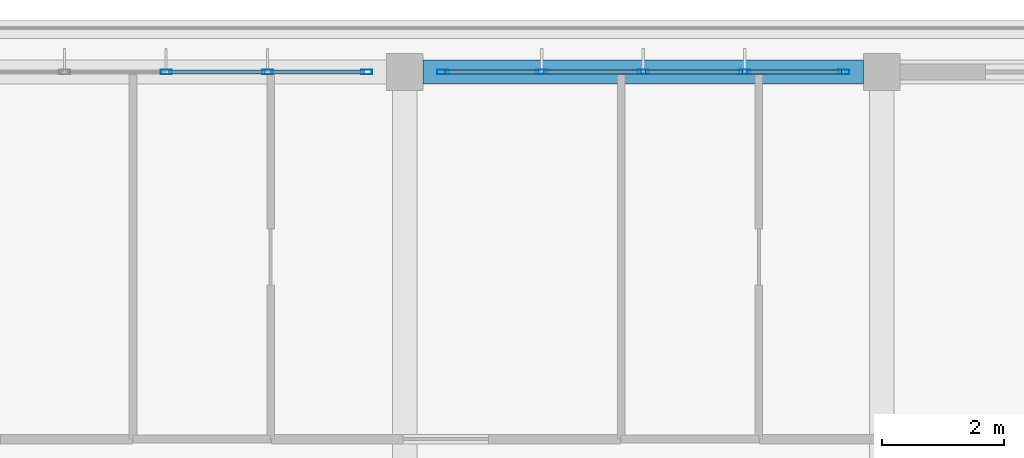
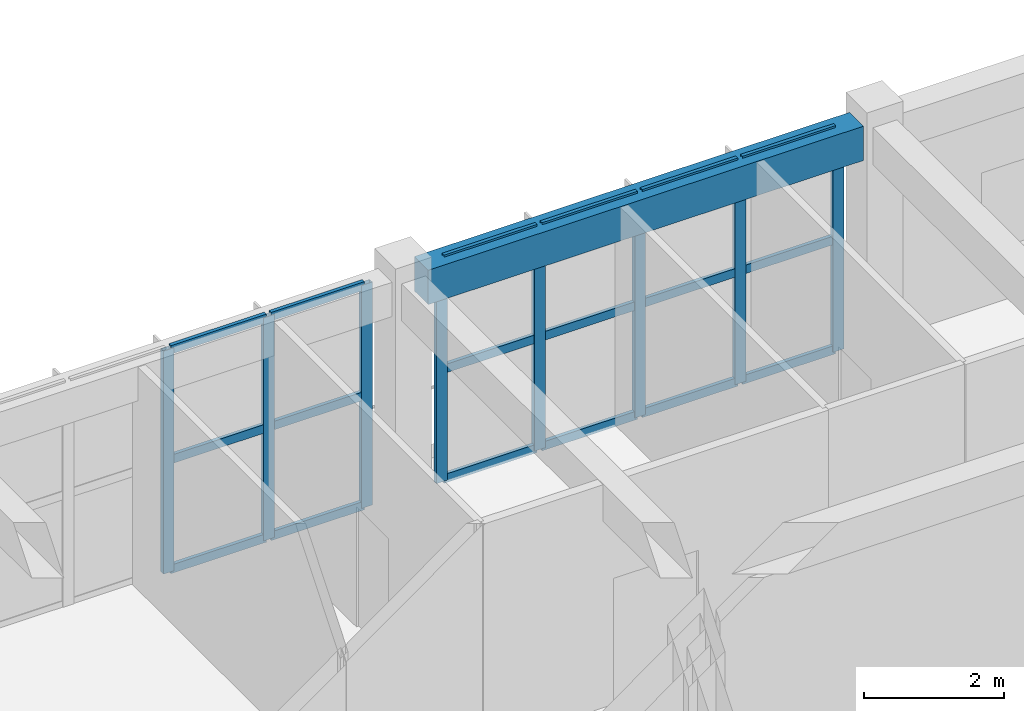
# One storey, part 17 of 56: 26 members, 1 beam, 2 elements without a shape of their own.
"""IFC4 building model written with IfcOpenShell, lengths in metres."""

from ifc_helpers import new_model, si_unit, direction, frame, origin, origin_2d, place, context, subcontext, project, spatial, rectangle, hollow_rectangle, extrude, material, layer, layer_set, material_profile, profile_set, type_object, element, aggregate, save


model = new_model("IFC4")

# Units and contexts
model_context = context("Model", 3, precision=1e-05, world=origin(), true_north=direction((0.0, 1.0)))
body_context = subcontext(model_context, "Body", "Model", "MODEL_VIEW")
ifc_project = project(units=[si_unit("LENGTHUNIT", "METRE"), si_unit("AREAUNIT", "SQUARE_METRE"), si_unit("VOLUMEUNIT", "CUBIC_METRE"), si_unit("PLANEANGLEUNIT", "RADIAN"), si_unit("MASSUNIT", "GRAM", prefix="KILO")], contexts=[model_context])

# Site, building, storey
site_placement = place(None, origin())
site = spatial("IfcSite", under=ifc_project, at=site_placement, CompositionType="ELEMENT")
building_placement = place(site_placement, origin())
building = spatial("IfcBuilding", under=site, at=building_placement, Name="Zizhar Promenade General Hospital", CompositionType="ELEMENT")
storey_placement = place(building_placement, frame((0.0, 0.0, 26.39990234375)))
storey = spatial("IfcBuildingStorey", under=building, at=storey_placement, Name="L06", CompositionType="ELEMENT", Elevation=26.39990234375)

# Beam
ifc_material_1 = material(Name="Concrete C35/45", Category="concrete")
ifc_material_profile_1 = material_profile(ifc_material_1, rectangle(XDim=0.39990234375, YDim=0.60009765625, at=origin_2d()))
ifc_profile_set_1 = profile_set([ifc_material_profile_1], Name="Concrete C35/45")
beam_type = type_object("IfcBeamType", Name="BM-RC-400x600", PredefinedType="JOIST", material=ifc_profile_set_1)
beam_placement = place(storey_placement, frame((54.89990234375, 25.199951171875, 3.610107421875), z_axis=(1.0, 0.0, 0.0), x_axis=(0.0, 1.0, 0.0)))
element("IfcBeam", 1, at=beam_placement, inside=storey, type_object=beam_type, Name="Grid Beam X L06 (7-3)", PredefinedType="JOIST", context=body_context, shape_type="SweptSolid", body=[
    extrude(rectangle(XDim=0.39990234375, YDim=0.60009765625, at=origin_2d()), origin(), (0.0, 0.0, 1.0), 7.2001953125),
])

# Curtain wall, members
ifc_material_2 = material(Name="Anodised aluminium 6063-T6 and low-E glass", Category="aluminium")
ifc_layer = layer(ifc_material_2, 0.159912109375)
ifc_layer_set = layer_set([ifc_layer], Name="Anodised aluminium 6063-T6 and low-E glass")
curtain_wall_type = type_object("IfcCurtainWallType", Name="CW-WARD-RIB", PredefinedType="NOTDEFINED", material=ifc_layer_set)
curtain_wall_1_placement = place(storey_placement, origin())
curtain_wall_1 = element("IfcCurtainWall", 2, at=curtain_wall_1_placement, inside=storey, type_object=curtain_wall_type, Name="Ward Ribbon Curtain Wall L06-8-2", PredefinedType="NOTDEFINED")
ifc_material_3 = material(Name="Anodised aluminium 6063-T6", Category="aluminium")
ifc_material_profile_2 = material_profile(ifc_material_3, hollow_rectangle(XDim=0.080078125, YDim=0.179931640625, WallThickness=0.0048828125, at=origin_2d()))
ifc_profile_set_2 = profile_set([ifc_material_profile_2], Name="Anodised aluminium 6063-T6")
member_type_1 = type_object("IfcMemberType", Name="CWM-ALU-180x80", PredefinedType="MULLION", material=ifc_profile_set_2)
member_1_placement = place(storey_placement, frame((50.699951171875, 25.199951171875, 0.0), z_axis=(0.0, 0.0, 1.0), x_axis=(0.0, 1.0, 0.0)))
member_1 = element("IfcMember", 3, at=member_1_placement, type_object=member_type_1, Name="CW-13 mullion 3", PredefinedType="MULLION", context=body_context, shape_type="SweptSolid", body=[
    extrude(hollow_rectangle(XDim=0.080078125, YDim=0.179931640625, WallThickness=0.0048828125, at=origin_2d()), origin(), (0.0, 0.0, 1.0), 3.900146484375),
])
member_2_placement = place(storey_placement, frame((52.360107421875, 25.199951171875, 0.0), z_axis=(0.0, 0.0, 1.0), x_axis=(0.0, 1.0, 0.0)))
member_2 = element("IfcMember", 4, at=member_2_placement, type_object=member_type_1, Name="CW-13 mullion 4", PredefinedType="MULLION", context=body_context, shape_type="SweptSolid", body=[
    extrude(hollow_rectangle(XDim=0.080078125, YDim=0.179931640625, WallThickness=0.0048828125, at=origin_2d()), origin(), (0.0, 0.0, 1.0), 3.900146484375),
])
member_3_placement = place(storey_placement, frame((53.97998046875, 25.199951171875, 0.0), z_axis=(0.0, 0.0, 1.0), x_axis=(0.0, 1.0, 0.0)))
member_3 = element("IfcMember", 5, at=member_3_placement, type_object=member_type_1, Name="CW-13 mullion 5", PredefinedType="MULLION", context=body_context, shape_type="SweptSolid", body=[
    extrude(hollow_rectangle(XDim=0.080078125, YDim=0.179931640625, WallThickness=0.0048828125, at=origin_2d()), origin(), (0.0, 0.0, 1.0), 3.900146484375),
])

curtain_wall_2_placement = place(storey_placement, origin())
curtain_wall_2 = element("IfcCurtainWall", 6, at=curtain_wall_2_placement, inside=storey, type_object=curtain_wall_type, Name="Ward Ribbon Curtain Wall L06-8-3", PredefinedType="NOTDEFINED")
member_4_placement = place(storey_placement, frame((55.219970703125, 25.199951171875, 0.0), z_axis=(0.0, 0.0, 1.0), x_axis=(0.0, 1.0, 0.0)))
member_4 = element("IfcMember", 7, at=member_4_placement, type_object=member_type_1, Name="CW-13 mullion 1", PredefinedType="MULLION", context=body_context, shape_type="SweptSolid", body=[
    extrude(hollow_rectangle(XDim=0.080078125, YDim=0.179931640625, WallThickness=0.0048828125, at=origin_2d()), origin(), (0.0, 0.0, 1.0), 3.900146484375),
])
member_5_placement = place(storey_placement, frame((56.840087890625, 25.199951171875, 0.0), z_axis=(0.0, 0.0, 1.0), x_axis=(0.0, 1.0, 0.0)))
member_5 = element("IfcMember", 8, at=member_5_placement, type_object=member_type_1, Name="CW-13 mullion 2", PredefinedType="MULLION", context=body_context, shape_type="SweptSolid", body=[
    extrude(hollow_rectangle(XDim=0.080078125, YDim=0.179931640625, WallThickness=0.0048828125, at=origin_2d()), origin(), (0.0, 0.0, 1.0), 3.900146484375),
])
member_6_placement = place(storey_placement, frame((58.5, 25.199951171875, 0.0), z_axis=(0.0, 0.0, 1.0), x_axis=(0.0, 1.0, 0.0)))
member_6 = element("IfcMember", 9, at=member_6_placement, type_object=member_type_1, Name="CW-13 mullion 3", PredefinedType="MULLION", context=body_context, shape_type="SweptSolid", body=[
    extrude(hollow_rectangle(XDim=0.080078125, YDim=0.179931640625, WallThickness=0.0048828125, at=origin_2d()), origin(), (0.0, 0.0, 1.0), 3.900146484375),
])
member_7_placement = place(storey_placement, frame((60.159912109375, 25.199951171875, 0.0), z_axis=(0.0, 0.0, 1.0), x_axis=(0.0, 1.0, 0.0)))
member_7 = element("IfcMember", 10, at=member_7_placement, type_object=member_type_1, Name="CW-13 mullion 4", PredefinedType="MULLION", context=body_context, shape_type="SweptSolid", body=[
    extrude(hollow_rectangle(XDim=0.080078125, YDim=0.179931640625, WallThickness=0.0048828125, at=origin_2d()), origin(), (0.0, 0.0, 1.0), 3.900146484375),
])
member_8_placement = place(storey_placement, frame((61.780029296875, 25.199951171875, 0.0), z_axis=(0.0, 0.0, 1.0), x_axis=(0.0, 1.0, 0.0)))
member_8 = element("IfcMember", 11, at=member_8_placement, type_object=member_type_1, Name="CW-13 mullion 5", PredefinedType="MULLION", context=body_context, shape_type="SweptSolid", body=[
    extrude(hollow_rectangle(XDim=0.080078125, YDim=0.179931640625, WallThickness=0.0048828125, at=origin_2d()), origin(), (0.0, 0.0, 1.0), 3.900146484375),
])

# Member
ifc_material_4 = material(Name="Anodised aluminium 6063-T6", Category="aluminium")
ifc_material_profile_3 = material_profile(ifc_material_4, hollow_rectangle(XDim=0.06005859375, YDim=0.14990234375, WallThickness=0.00390625, at=origin_2d()))
ifc_profile_set_3 = profile_set([ifc_material_profile_3], Name="Anodised aluminium 6063-T6")
member_type_2 = type_object("IfcMemberType", Name="CWT-ALU-150x60", PredefinedType="USERDEFINED", material=ifc_profile_set_3)
member_9_placement = place(storey_placement, frame((50.739990234375, 25.199951171875, 0.030029296875), z_axis=(1.0, 0.0, 0.0), x_axis=(0.0, 1.0, 0.0)))
member_9 = element("IfcMember", 12, at=member_9_placement, type_object=member_type_2, Name="CW-13 transom 3.1", ObjectType="TRANSOM", PredefinedType="USERDEFINED", context=body_context, shape_type="SweptSolid", body=[
    extrude(hollow_rectangle(XDim=0.06005859375, YDim=0.14990234375, WallThickness=0.00390625, at=origin_2d()), origin(), (0.0, 0.0, 1.0), 1.580078125),
])

member_10_placement = place(storey_placement, frame((50.739990234375, 25.199951171875, 1.9501953125), z_axis=(1.0, 0.0, 0.0), x_axis=(0.0, 1.0, 0.0)))
member_10 = element("IfcMember", 13, at=member_10_placement, type_object=member_type_2, Name="CW-13 transom 3.2", ObjectType="TRANSOM", PredefinedType="USERDEFINED", context=body_context, shape_type="SweptSolid", body=[
    extrude(hollow_rectangle(XDim=0.06005859375, YDim=0.14990234375, WallThickness=0.00390625, at=origin_2d()), origin(), (0.0, 0.0, 1.0), 1.580078125),
])

member_11_placement = place(storey_placement, frame((50.739990234375, 25.199951171875, 3.8701171875), z_axis=(1.0, 0.0, 0.0), x_axis=(0.0, 1.0, 0.0)))
member_11 = element("IfcMember", 14, at=member_11_placement, type_object=member_type_2, Name="CW-13 transom 3.3", ObjectType="TRANSOM", PredefinedType="USERDEFINED", context=body_context, shape_type="SweptSolid", body=[
    extrude(hollow_rectangle(XDim=0.06005859375, YDim=0.14990234375, WallThickness=0.00390625, at=origin_2d()), origin(), (0.0, 0.0, 1.0), 1.580078125),
])

member_12_placement = place(storey_placement, frame((52.39990234375, 25.199951171875, 0.030029296875), z_axis=(1.0, 0.0, 0.0), x_axis=(0.0, 1.0, 0.0)))
member_12 = element("IfcMember", 15, at=member_12_placement, type_object=member_type_2, Name="CW-13 transom 4.1", ObjectType="TRANSOM", PredefinedType="USERDEFINED", context=body_context, shape_type="SweptSolid", body=[
    extrude(hollow_rectangle(XDim=0.06005859375, YDim=0.14990234375, WallThickness=0.00390625, at=origin_2d()), origin(), (0.0, 0.0, 1.0), 1.5400390625),
])

member_13_placement = place(storey_placement, frame((52.39990234375, 25.199951171875, 1.9501953125), z_axis=(1.0, 0.0, 0.0), x_axis=(0.0, 1.0, 0.0)))
member_13 = element("IfcMember", 16, at=member_13_placement, type_object=member_type_2, Name="CW-13 transom 4.2", ObjectType="TRANSOM", PredefinedType="USERDEFINED", context=body_context, shape_type="SweptSolid", body=[
    extrude(hollow_rectangle(XDim=0.06005859375, YDim=0.14990234375, WallThickness=0.00390625, at=origin_2d()), origin(), (0.0, 0.0, 1.0), 1.5400390625),
])

member_14_placement = place(storey_placement, frame((52.39990234375, 25.199951171875, 3.8701171875), z_axis=(1.0, 0.0, 0.0), x_axis=(0.0, 1.0, 0.0)))
member_14 = element("IfcMember", 17, at=member_14_placement, type_object=member_type_2, Name="CW-13 transom 4.3", ObjectType="TRANSOM", PredefinedType="USERDEFINED", context=body_context, shape_type="SweptSolid", body=[
    extrude(hollow_rectangle(XDim=0.06005859375, YDim=0.14990234375, WallThickness=0.00390625, at=origin_2d()), origin(), (0.0, 0.0, 1.0), 1.5400390625),
])

aggregate(curtain_wall_1, [member_1, member_2, member_3, member_9, member_10, member_11, member_12, member_13, member_14])

member_15_placement = place(storey_placement, frame((55.260009765625, 25.199951171875, 0.030029296875), z_axis=(1.0, 0.0, 0.0), x_axis=(0.0, 1.0, 0.0)))
member_15 = element("IfcMember", 18, at=member_15_placement, type_object=member_type_2, Name="CW-13 transom 1.1", ObjectType="TRANSOM", PredefinedType="USERDEFINED", context=body_context, shape_type="SweptSolid", body=[
    extrude(hollow_rectangle(XDim=0.06005859375, YDim=0.14990234375, WallThickness=0.00390625, at=origin_2d()), origin(), (0.0, 0.0, 1.0), 1.5400390625),
])

member_16_placement = place(storey_placement, frame((55.260009765625, 25.199951171875, 1.9501953125), z_axis=(1.0, 0.0, 0.0), x_axis=(0.0, 1.0, 0.0)))
member_16 = element("IfcMember", 19, at=member_16_placement, type_object=member_type_2, Name="CW-13 transom 1.2", ObjectType="TRANSOM", PredefinedType="USERDEFINED", context=body_context, shape_type="SweptSolid", body=[
    extrude(hollow_rectangle(XDim=0.06005859375, YDim=0.14990234375, WallThickness=0.00390625, at=origin_2d()), origin(), (0.0, 0.0, 1.0), 1.5400390625),
])

member_17_placement = place(storey_placement, frame((55.260009765625, 25.199951171875, 3.8701171875), z_axis=(1.0, 0.0, 0.0), x_axis=(0.0, 1.0, 0.0)))
member_17 = element("IfcMember", 20, at=member_17_placement, type_object=member_type_2, Name="CW-13 transom 1.3", ObjectType="TRANSOM", PredefinedType="USERDEFINED", context=body_context, shape_type="SweptSolid", body=[
    extrude(hollow_rectangle(XDim=0.06005859375, YDim=0.14990234375, WallThickness=0.00390625, at=origin_2d()), origin(), (0.0, 0.0, 1.0), 1.5400390625),
])

member_18_placement = place(storey_placement, frame((56.8798828125, 25.199951171875, 0.030029296875), z_axis=(1.0, 0.0, 0.0), x_axis=(0.0, 1.0, 0.0)))
member_18 = element("IfcMember", 21, at=member_18_placement, type_object=member_type_2, Name="CW-13 transom 2.1", ObjectType="TRANSOM", PredefinedType="USERDEFINED", context=body_context, shape_type="SweptSolid", body=[
    extrude(hollow_rectangle(XDim=0.06005859375, YDim=0.14990234375, WallThickness=0.00390625, at=origin_2d()), origin(), (0.0, 0.0, 1.0), 1.580078125),
])

member_19_placement = place(storey_placement, frame((56.8798828125, 25.199951171875, 1.9501953125), z_axis=(1.0, 0.0, 0.0), x_axis=(0.0, 1.0, 0.0)))
member_19 = element("IfcMember", 22, at=member_19_placement, type_object=member_type_2, Name="CW-13 transom 2.2", ObjectType="TRANSOM", PredefinedType="USERDEFINED", context=body_context, shape_type="SweptSolid", body=[
    extrude(hollow_rectangle(XDim=0.06005859375, YDim=0.14990234375, WallThickness=0.00390625, at=origin_2d()), origin(), (0.0, 0.0, 1.0), 1.580078125),
])

member_20_placement = place(storey_placement, frame((56.8798828125, 25.199951171875, 3.8701171875), z_axis=(1.0, 0.0, 0.0), x_axis=(0.0, 1.0, 0.0)))
member_20 = element("IfcMember", 23, at=member_20_placement, type_object=member_type_2, Name="CW-13 transom 2.3", ObjectType="TRANSOM", PredefinedType="USERDEFINED", context=body_context, shape_type="SweptSolid", body=[
    extrude(hollow_rectangle(XDim=0.06005859375, YDim=0.14990234375, WallThickness=0.00390625, at=origin_2d()), origin(), (0.0, 0.0, 1.0), 1.580078125),
])

member_21_placement = place(storey_placement, frame((58.5400390625, 25.199951171875, 0.030029296875), z_axis=(1.0, 0.0, 0.0), x_axis=(0.0, 1.0, 0.0)))
member_21 = element("IfcMember", 24, at=member_21_placement, type_object=member_type_2, Name="CW-13 transom 3.1", ObjectType="TRANSOM", PredefinedType="USERDEFINED", context=body_context, shape_type="SweptSolid", body=[
    extrude(hollow_rectangle(XDim=0.06005859375, YDim=0.14990234375, WallThickness=0.00390625, at=origin_2d()), origin(), (0.0, 0.0, 1.0), 1.580078125),
])

member_22_placement = place(storey_placement, frame((58.5400390625, 25.199951171875, 1.9501953125), z_axis=(1.0, 0.0, 0.0), x_axis=(0.0, 1.0, 0.0)))
member_22 = element("IfcMember", 25, at=member_22_placement, type_object=member_type_2, Name="CW-13 transom 3.2", ObjectType="TRANSOM", PredefinedType="USERDEFINED", context=body_context, shape_type="SweptSolid", body=[
    extrude(hollow_rectangle(XDim=0.06005859375, YDim=0.14990234375, WallThickness=0.00390625, at=origin_2d()), origin(), (0.0, 0.0, 1.0), 1.580078125),
])

member_23_placement = place(storey_placement, frame((58.5400390625, 25.199951171875, 3.8701171875), z_axis=(1.0, 0.0, 0.0), x_axis=(0.0, 1.0, 0.0)))
member_23 = element("IfcMember", 26, at=member_23_placement, type_object=member_type_2, Name="CW-13 transom 3.3", ObjectType="TRANSOM", PredefinedType="USERDEFINED", context=body_context, shape_type="SweptSolid", body=[
    extrude(hollow_rectangle(XDim=0.06005859375, YDim=0.14990234375, WallThickness=0.00390625, at=origin_2d()), origin(), (0.0, 0.0, 1.0), 1.580078125),
])

member_24_placement = place(storey_placement, frame((60.199951171875, 25.199951171875, 0.030029296875), z_axis=(1.0, 0.0, 0.0), x_axis=(0.0, 1.0, 0.0)))
member_24 = element("IfcMember", 27, at=member_24_placement, type_object=member_type_2, Name="CW-13 transom 4.1", ObjectType="TRANSOM", PredefinedType="USERDEFINED", context=body_context, shape_type="SweptSolid", body=[
    extrude(hollow_rectangle(XDim=0.06005859375, YDim=0.14990234375, WallThickness=0.00390625, at=origin_2d()), origin(), (0.0, 0.0, 1.0), 1.5400390625),
])

member_25_placement = place(storey_placement, frame((60.199951171875, 25.199951171875, 1.9501953125), z_axis=(1.0, 0.0, 0.0), x_axis=(0.0, 1.0, 0.0)))
member_25 = element("IfcMember", 28, at=member_25_placement, type_object=member_type_2, Name="CW-13 transom 4.2", ObjectType="TRANSOM", PredefinedType="USERDEFINED", context=body_context, shape_type="SweptSolid", body=[
    extrude(hollow_rectangle(XDim=0.06005859375, YDim=0.14990234375, WallThickness=0.00390625, at=origin_2d()), origin(), (0.0, 0.0, 1.0), 1.5400390625),
])

member_26_placement = place(storey_placement, frame((60.199951171875, 25.199951171875, 3.8701171875), z_axis=(1.0, 0.0, 0.0), x_axis=(0.0, 1.0, 0.0)))
member_26 = element("IfcMember", 29, at=member_26_placement, type_object=member_type_2, Name="CW-13 transom 4.3", ObjectType="TRANSOM", PredefinedType="USERDEFINED", context=body_context, shape_type="SweptSolid", body=[
    extrude(hollow_rectangle(XDim=0.06005859375, YDim=0.14990234375, WallThickness=0.00390625, at=origin_2d()), origin(), (0.0, 0.0, 1.0), 1.5400390625),
])

aggregate(curtain_wall_2, [member_4, member_5, member_6, member_7, member_8, member_15, member_16, member_17, member_18, member_19, member_20, member_21, member_22, member_23, member_24, member_25, member_26])

save(model, "model.ifc")
